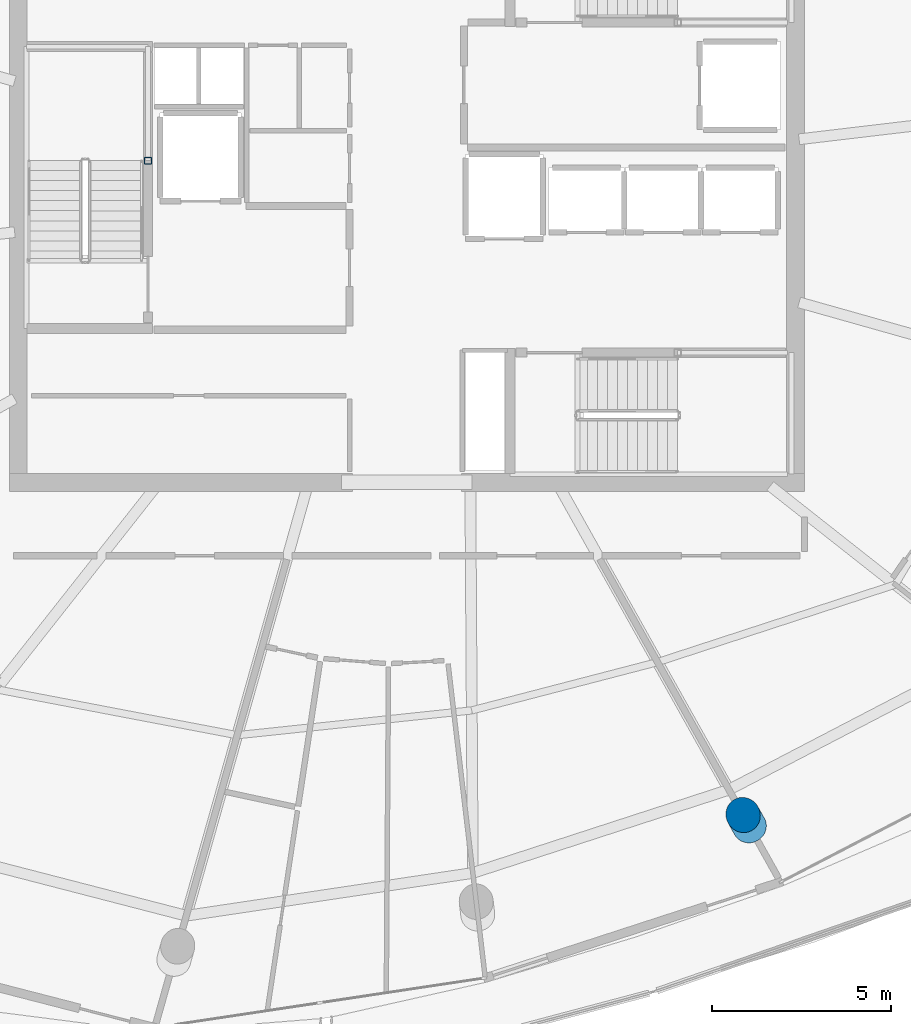
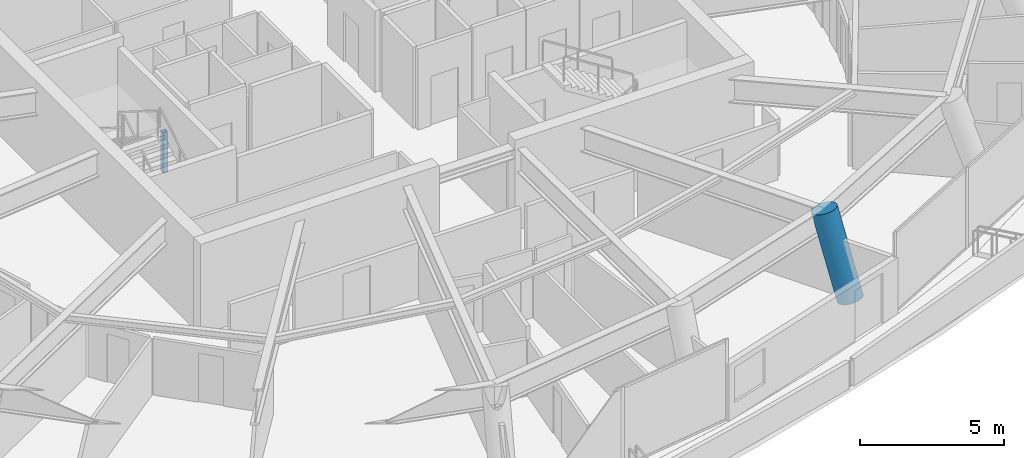
# One storey, part 2 of 24: 2 columns.
"""IFC4 building model written with IfcOpenShell, lengths in metres."""

from ifc_helpers import new_model, si_unit, direction, frame, origin, origin_2d, place, context, subcontext, project, spatial, hollow_rectangle, circle, extrude, material, material_profile, profile_set, type_object, element, save


model = new_model("IFC4")

# Units and contexts
model_context = context("Model", 3, precision=1e-05, world=origin(), true_north=direction((0.0, 1.0)))
body_context = subcontext(model_context, "Body", "Model", "MODEL_VIEW")
ifc_project = project(units=[si_unit("LENGTHUNIT", "METRE"), si_unit("AREAUNIT", "SQUARE_METRE"), si_unit("VOLUMEUNIT", "CUBIC_METRE"), si_unit("PLANEANGLEUNIT", "RADIAN"), si_unit("MASSUNIT", "GRAM", prefix="KILO")], contexts=[model_context])

# Site, building, storey
site_placement = place(None, origin())
site = spatial("IfcSite", under=ifc_project, at=site_placement, CompositionType="ELEMENT")
building_placement = place(site_placement, origin())
building = spatial("IfcBuilding", under=site, at=building_placement, Name="Kazma Halo Residences", CompositionType="ELEMENT")
storey_placement = place(building_placement, frame((0.0, 0.0, 309.85009765625)))
storey = spatial("IfcBuildingStorey", under=building, at=storey_placement, Name="L78", CompositionType="ELEMENT", Elevation=309.85009765625)

# Columns
ifc_material_1 = material(Name="Steel S355", Category="steel")
ifc_material_profile_1 = material_profile(ifc_material_1, hollow_rectangle(XDim=0.199951171875, YDim=0.199951171875, WallThickness=0.010009765625, InnerFilletRadius=0.010009765625, OuterFilletRadius=0.02001953125, at=origin_2d()), Name="SHS200x200x10")
ifc_profile_set_1 = profile_set([ifc_material_profile_1], Name="Steel S355")
column_type_1 = type_object("IfcColumnType", Name="COL-LP-SHS200", PredefinedType="COLUMN", material=ifc_profile_set_1)
column_1_placement = place(storey_placement, frame((41.179931640625, 42.75, 0.0), z_axis=(0.0, 0.0, 1.0), x_axis=(1.0, 0.0, 0.0)))
element("IfcColumn", 1, at=column_1_placement, inside=storey, type_object=column_type_1, Name="L78 ST-01 landing pilaster 1", PredefinedType="COLUMN", context=body_context, shape_type="SweptSolid", body=[
    extrude(hollow_rectangle(XDim=0.199951171875, YDim=0.199951171875, WallThickness=0.010009765625, InnerFilletRadius=0.010009765625, OuterFilletRadius=0.02001953125, at=origin_2d()), origin(), (0.0, 0.0, 1.0), 1.719970703125),
])
ifc_material_2 = material(Name="Concrete C60/75", Category="concrete")
ifc_material_profile_2 = material_profile(ifc_material_2, circle(Radius=0.47509765625, at=origin_2d()), Name="CIRC950")
ifc_profile_set_2 = profile_set([ifc_material_profile_2], Name="Concrete C60/75")
column_type_2 = type_object("IfcColumnType", Name="COL-PERIM-950", PredefinedType="COLUMN", material=ifc_profile_set_2)
column_2_placement = place(storey_placement, frame((58.01220703125, 24.121826171875, 0.0), z_axis=(-0.142922715552, 0.25519013274, 0.956269362435), x_axis=(-0.872482342855, -0.488645639913, 0.0)))
element("IfcColumn", 2, at=column_2_placement, inside=storey, type_object=column_type_2, Name="L78 perimeter ring column P13", PredefinedType="COLUMN", context=body_context, shape_type="SweptSolid", body=[
    extrude(circle(Radius=0.47509765625, at=origin_2d()), origin(), (0.0, 0.0, 1.0), 3.607666015625),
])

save(model, "model.ifc")
